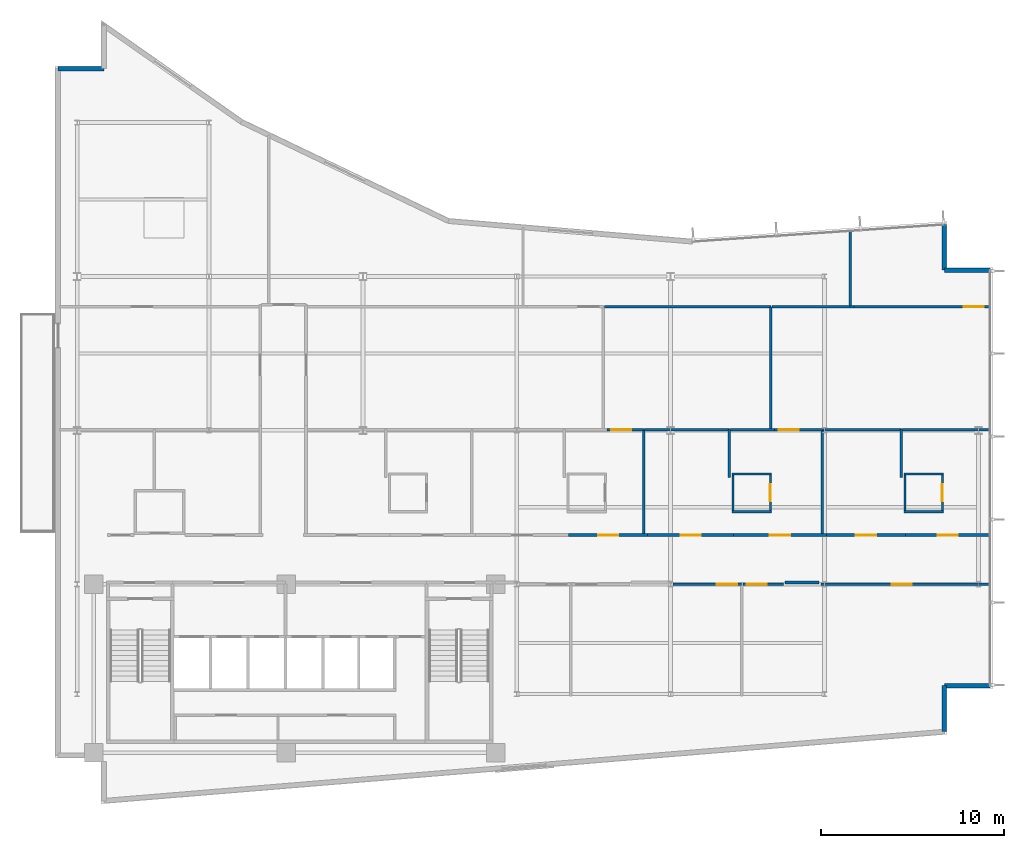
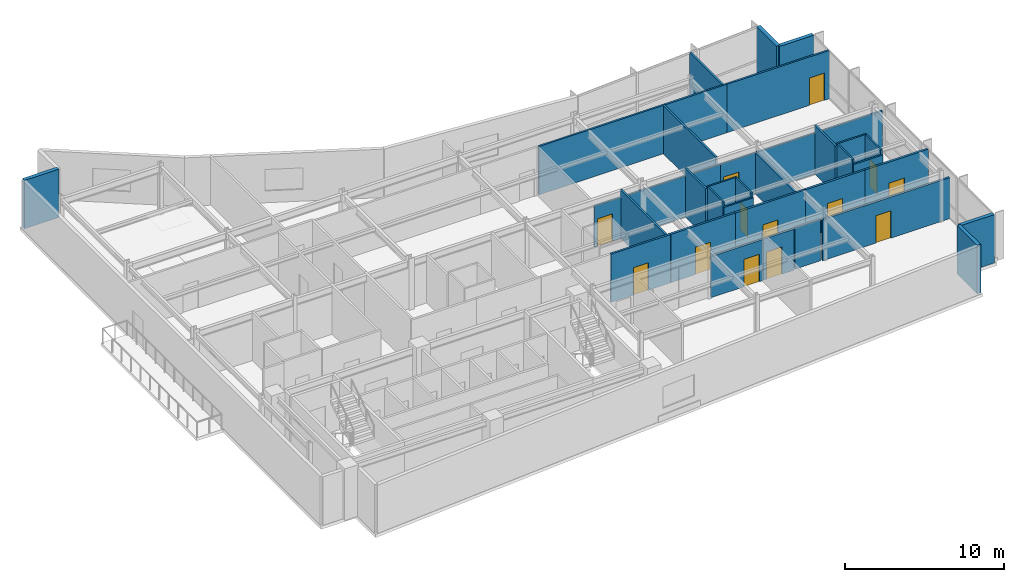
# One storey, part 12 of 16: 37 walls, 13 doors, 13 openings.
"""IFC4 building model written with IfcOpenShell, lengths in metres."""

from ifc_helpers import new_model, si_unit, direction, frame, frame_2d, origin, place, context, subcontext, project, spatial, rectangle, extrude, material, layer, layer_set, type_object, element, fill, save


model = new_model("IFC4")

# Units and contexts
model_context = context("Model", 3, precision=1e-05, world=origin(), true_north=direction((0.0, 1.0)))
body_context = subcontext(model_context, "Body", "Model", "MODEL_VIEW")
ifc_project = project(units=[si_unit("LENGTHUNIT", "METRE"), si_unit("AREAUNIT", "SQUARE_METRE"), si_unit("VOLUMEUNIT", "CUBIC_METRE"), si_unit("PLANEANGLEUNIT", "RADIAN"), si_unit("MASSUNIT", "GRAM", prefix="KILO")], contexts=[model_context])

# Site, building, storey
site_placement = place(None, origin())
site = spatial("IfcSite", under=ifc_project, at=site_placement, CompositionType="ELEMENT")
building_placement = place(site_placement, origin())
building = spatial("IfcBuilding", under=site, at=building_placement, Name="Varnakote Quay Hospital", CompositionType="ELEMENT")
storey_placement = place(building_placement, frame((0.0, 0.0, 188.14990234375)))
storey = spatial("IfcBuildingStorey", under=building, at=storey_placement, Name="L46", CompositionType="ELEMENT", Elevation=188.14990234375)

# Walls
ifc_material_1 = material(Name="Fire-rated acoustic gypsum stud wall", Category="gypsum")
ifc_layer_1 = layer(ifc_material_1, 0.159912109375)
ifc_layer_set_1 = layer_set([ifc_layer_1], Name="Fire-rated acoustic gypsum stud wall")
wall_type_1 = type_object("IfcWallType", Name="WL-COMP-160", PredefinedType="PARTITIONING", material=ifc_layer_set_1)
wall_1_placement = place(storey_placement, frame((39.83935546875, 12.080078125, 0.0), z_axis=(0.0, 0.0, 1.0), x_axis=(1.0, 0.0, 0.0)))
element("IfcWall", 1, at=wall_1_placement, inside=storey, type_object=wall_type_1, Name="L46 Corridor South Gap Wall", PredefinedType="PARTITIONING", context=body_context, shape_type="SweptSolid", body=[
    extrude(rectangle(XDim=1.871337890625, YDim=0.159912109375, at=frame_2d((0.935546875, 0.0))), origin(), (0.0, 0.0, 1.0), 3.152099609375),
])
ifc_material_2 = material(Name="Moisture-resistant bathroom partition", Category="gypsum")
ifc_layer_2 = layer(ifc_material_2, 0.114990234375)
ifc_layer_set_2 = layer_set([ifc_layer_2], Name="Moisture-resistant bathroom partition")
wall_type_2 = type_object("IfcWallType", Name="WL-ENS-115", PredefinedType="PARTITIONING", material=ifc_layer_set_2)
wall_2_placement = place(storey_placement, frame((36.955078125, 15.952392578125, 0.0), z_axis=(0.0, 0.0, 1.0), x_axis=(1.0, 0.0, 0.0)))
element("IfcWall", 2, at=wall_2_placement, inside=storey, type_object=wall_type_2, Name="L46 Inpatient En-Suite Bathroom 03 S Wall", PredefinedType="PARTITIONING", context=body_context, shape_type="SweptSolid", body=[
    extrude(rectangle(XDim=2.14990234375, YDim=0.114990234375, at=frame_2d((1.074951171875, 0.0))), origin(), (0.0, 0.0, 1.0), 3.378173828125),
])
wall_3_placement = place(storey_placement, frame((36.955078125, 18.017578125, 0.0), z_axis=(0.0, 0.0, 1.0), x_axis=(1.0, 0.0, 0.0)))
element("IfcWall", 3, at=wall_3_placement, inside=storey, type_object=wall_type_2, Name="L46 Inpatient En-Suite Bathroom 03 N Wall", PredefinedType="PARTITIONING", context=body_context, shape_type="SweptSolid", body=[
    extrude(rectangle(XDim=2.14990234375, YDim=0.114990234375, at=frame_2d((1.074951171875, 0.0))), origin(), (0.0, 0.0, 1.0), 3.710205078125),
])
wall_4_placement = place(storey_placement, frame((37.012451171875, 16.010009765625, 0.0), z_axis=(0.0, 0.0, 1.0), x_axis=(0.0, 1.0, 0.0)))
element("IfcWall", 4, at=wall_4_placement, inside=storey, type_object=wall_type_2, Name="L46 Inpatient En-Suite Bathroom 03 W Wall", PredefinedType="PARTITIONING", context=body_context, shape_type="SweptSolid", body=[
    extrude(rectangle(XDim=1.949951171875, YDim=0.114990234375, at=frame_2d((0.97509765625, 0.0))), origin(), (0.0, 0.0, 1.0), 3.710205078125),
])

# Wall, opening, door
wall_5_placement = place(storey_placement, frame((39.047607421875, 16.010009765625, 0.0), z_axis=(0.0, 0.0, 1.0), x_axis=(0.0, 1.0, 0.0)))
wall_5 = element("IfcWall", 5, at=wall_5_placement, inside=storey, type_object=wall_type_2, Name="L46 Inpatient En-Suite Bathroom 03 E Wall", PredefinedType="PARTITIONING", context=body_context, shape_type="SweptSolid", body=[
    extrude(rectangle(XDim=1.949951171875, YDim=0.114990234375, at=frame_2d((0.97509765625, 0.0))), origin(), (0.0, 0.0, 1.0), 3.710205078125),
])
opening_1_placement = place(wall_5_placement, frame((0.514892578125, 0.0, 0.0)))
opening_1 = element("IfcOpeningElement", 6, at=opening_1_placement, cuts=wall_5, Name="Opening D-L46-ENS03", PredefinedType="OPENING", context=body_context, shape_type="SweptSolid", body=[
    extrude(rectangle(XDim=0.919921875, YDim=2.10009765625, at=frame_2d((0.4599609375, 1.050048828125))), frame((0.0, 0.0673828125, 0.0), z_axis=(0.0, -1.0, 0.0), x_axis=(1.0, 0.0, 0.0)), (0.0, 0.0, 1.0), 0.135009765625),
])
ifc_material_3 = material(Name="Moisture-sealed en-suite bathroom door")
door_type_1 = type_object("IfcDoorType", Name="DR-ENS-920x2100", OperationType="NOTDEFINED", PredefinedType="DOOR", material=ifc_material_3)
door_1_placement = place(opening_1_placement, origin())
door_1 = element("IfcDoor", 7, at=door_1_placement, inside=storey, type_object=door_type_1, Name="L46 Inpatient En-Suite Bathroom 03 Door", OperationType="SINGLE_SWING_LEFT", OverallHeight=2.10009765625, OverallWidth=0.919921875, PredefinedType="DOOR", context=body_context, shape_type="SweptSolid", body=[
    extrude(rectangle(XDim=0.919921875, YDim=2.10009765625, at=frame_2d((0.4599609375, 1.050048828125))), frame((0.0, 0.02490234375, 0.0), z_axis=(0.0, -1.0, 0.0), x_axis=(1.0, 0.0, 0.0)), (0.0, 0.0, 1.0), 0.050048828125),
])
fill(opening_1, door_1)

# Walls
wall_6_placement = place(storey_placement, frame((46.344970703125, 15.952392578125, 0.0), z_axis=(0.0, 0.0, 1.0), x_axis=(1.0, 0.0, 0.0)))
element("IfcWall", 8, at=wall_6_placement, inside=storey, type_object=wall_type_2, Name="L46 Inpatient En-Suite Bathroom 04 S Wall", PredefinedType="PARTITIONING", context=body_context, shape_type="SweptSolid", body=[
    extrude(rectangle(XDim=2.150146484375, YDim=0.114990234375, at=frame_2d((1.0751953125, 0.0))), origin(), (0.0, 0.0, 1.0), 3.378173828125),
])
wall_7_placement = place(storey_placement, frame((46.344970703125, 18.017578125, 0.0), z_axis=(0.0, 0.0, 1.0), x_axis=(1.0, 0.0, 0.0)))
element("IfcWall", 9, at=wall_7_placement, inside=storey, type_object=wall_type_2, Name="L46 Inpatient En-Suite Bathroom 04 N Wall", PredefinedType="PARTITIONING", context=body_context, shape_type="SweptSolid", body=[
    extrude(rectangle(XDim=2.150146484375, YDim=0.114990234375, at=frame_2d((1.0751953125, 0.0))), origin(), (0.0, 0.0, 1.0), 3.710205078125),
])
wall_8_placement = place(storey_placement, frame((46.402587890625, 16.010009765625, 0.0), z_axis=(0.0, 0.0, 1.0), x_axis=(0.0, 1.0, 0.0)))
element("IfcWall", 10, at=wall_8_placement, inside=storey, type_object=wall_type_2, Name="L46 Inpatient En-Suite Bathroom 04 W Wall", PredefinedType="PARTITIONING", context=body_context, shape_type="SweptSolid", body=[
    extrude(rectangle(XDim=1.949951171875, YDim=0.114990234375, at=frame_2d((0.97509765625, 0.0))), origin(), (0.0, 0.0, 1.0), 3.710205078125),
])

# Wall, opening, door
wall_9_placement = place(storey_placement, frame((48.4375, 16.010009765625, 0.0), z_axis=(0.0, 0.0, 1.0), x_axis=(0.0, 1.0, 0.0)))
wall_9 = element("IfcWall", 11, at=wall_9_placement, inside=storey, type_object=wall_type_2, Name="L46 Inpatient En-Suite Bathroom 04 E Wall", PredefinedType="PARTITIONING", context=body_context, shape_type="SweptSolid", body=[
    extrude(rectangle(XDim=1.949951171875, YDim=0.114990234375, at=frame_2d((0.97509765625, 0.0))), origin(), (0.0, 0.0, 1.0), 3.710205078125),
])
opening_2_placement = place(wall_9_placement, frame((0.514892578125, 0.0, 0.0)))
opening_2 = element("IfcOpeningElement", 12, at=opening_2_placement, cuts=wall_9, Name="Opening D-L46-ENS04", PredefinedType="OPENING", context=body_context, shape_type="SweptSolid", body=[
    extrude(rectangle(XDim=0.919921875, YDim=2.10009765625, at=frame_2d((0.4599609375, 1.050048828125))), frame((0.0, 0.0673828125, 0.0), z_axis=(0.0, -1.0, 0.0), x_axis=(1.0, 0.0, 0.0)), (0.0, 0.0, 1.0), 0.135009765625),
])
door_2_placement = place(opening_2_placement, origin())
door_2 = element("IfcDoor", 13, at=door_2_placement, inside=storey, type_object=door_type_1, Name="L46 Inpatient En-Suite Bathroom 04 Door", OperationType="SINGLE_SWING_RIGHT", OverallHeight=2.10009765625, OverallWidth=0.919921875, PredefinedType="DOOR", context=body_context, shape_type="SweptSolid", body=[
    extrude(rectangle(XDim=0.919921875, YDim=2.10009765625, at=frame_2d((0.4599609375, 1.050048828125))), frame((0.0, 0.02490234375, 0.0), z_axis=(0.0, -1.0, 0.0), x_axis=(1.0, 0.0, 0.0)), (0.0, 0.0, 1.0), 0.050048828125),
])
fill(opening_2, door_2)

# Walls
ifc_material_4 = material(Name="Precast concrete N50 (f'c 50 MPa)", Category="concrete")
ifc_layer_3 = layer(ifc_material_4, 0.260009765625)
ifc_layer_set_3 = layer_set([ifc_layer_3], Name="Precast concrete N50 (f'c 50 MPa)")
wall_type_3 = type_object("IfcWallType", Name="WL-EXT-BRICK-260", PredefinedType="STANDARD", material=ifc_layer_set_3)
wall_10_placement = place(storey_placement, frame((48.5400390625, 3.947509765625, 0.0), z_axis=(0.0, 0.0, 1.0), x_axis=(0.0, 1.0, 0.0)))
element("IfcWall", 14, at=wall_10_placement, inside=storey, type_object=wall_type_3, Name="L46 Brick-Faced Precast Exterior Wall", PredefinedType="STANDARD", context=body_context, shape_type="SweptSolid", body=[
    extrude(rectangle(XDim=2.512451171875, YDim=0.260009765625, at=frame_2d((1.25634765625, 0.0))), origin(), (0.0, 0.0, 1.0), 3.710205078125),
])
for number, where, z_axis, x_axis, name in (
    (15, (48.5400390625, 6.4599609375, 0.0), (0.0, 0.0, 1.0), (1.0, 0.0, 0.0), "L46 Brick-Faced Precast Exterior Wall"),
    (16, (51.0400390625, 29.139892578125, 0.0), (0.0, 0.0, 1.0), (-1.0, 0.0, 0.0), "L46 Brick-Faced Precast Exterior Wall"),
):
    element("IfcWall", number, at=place(storey_placement, frame(where, z_axis=z_axis, x_axis=x_axis)), inside=storey, type_object=wall_type_3, Name=name, PredefinedType="STANDARD", context=body_context, shape_type="SweptSolid", body=[
        extrude(rectangle(XDim=2.5, YDim=0.260009765625, at=frame_2d((1.25, 0.0))), origin(), (0.0, 0.0, 1.0), 3.710205078125),
    ])
wall_11_placement = place(storey_placement, frame((48.5400390625, 29.139892578125, 0.0), z_axis=(0.0, 0.0, 1.0), x_axis=(0.0, 1.0, 0.0)))
element("IfcWall", 17, at=wall_11_placement, inside=storey, type_object=wall_type_3, Name="L46 Brick-Faced Precast Exterior Wall", PredefinedType="STANDARD", context=body_context, shape_type="SweptSolid", body=[
    extrude(rectangle(XDim=2.489013671875, YDim=0.260009765625, at=frame_2d((1.24462890625, 0.0))), origin(), (0.0, 0.0, 1.0), 3.710205078125),
])
wall_12_placement = place(storey_placement, frame((2.659912109375, 40.139892578125, 0.0), z_axis=(0.0, 0.0, 1.0), x_axis=(-1.0, 0.0, 0.0)))
element("IfcWall", 18, at=wall_12_placement, inside=storey, type_object=wall_type_3, Name="L46 Brick-Faced Precast Exterior Wall", PredefinedType="STANDARD", context=body_context, shape_type="SweptSolid", body=[
    extrude(rectangle(XDim=2.5, YDim=0.260009765625, at=frame_2d((1.25, 0.0))), origin(), (0.0, 0.0, 1.0), 3.710205078125),
])
ifc_material_5 = material(Name="Smoke-proof clinical partition", Category="gypsum")
ifc_layer_4 = layer(ifc_material_5, 0.135009765625)
ifc_layer_set_4 = layer_set([ifc_layer_4], Name="Smoke-proof clinical partition")
wall_type_4 = type_object("IfcWallType", Name="WL-SMOKE-135", PredefinedType="PARTITIONING", material=ifc_layer_set_4)
wall_13_placement = place(storey_placement, frame((32.1201171875, 14.760009765625, 0.0), z_axis=(0.0, 0.0, 1.0), x_axis=(0.0, 1.0, 0.0)))
element("IfcWall", 19, at=wall_13_placement, inside=storey, type_object=wall_type_4, Name="L46 Clinical Interior Partition", PredefinedType="PARTITIONING", context=body_context, shape_type="SweptSolid", body=[
    extrude(rectangle(XDim=5.679931640625, YDim=0.135009765625, at=frame_2d((2.83984375, 0.0))), origin(), (0.0, 0.0, 1.0), 3.710205078125),
])

# Wall, opening, door
wall_14_placement = place(storey_placement, frame((32.1201171875, 20.43994140625, 0.0), z_axis=(0.0, 0.0, 1.0), x_axis=(-1.0, 0.0, 0.0)))
wall_14 = element("IfcWall", 20, at=wall_14_placement, inside=storey, type_object=wall_type_4, Name="L46 Clinical Interior Partition", PredefinedType="PARTITIONING", context=body_context, shape_type="SweptSolid", body=[
    extrude(rectangle(XDim=1.980712890625, YDim=0.135009765625, at=frame_2d((0.990234375, 0.0))), origin(), (0.0, 0.0, 1.0), 3.152099609375),
])
opening_3_placement = place(wall_14_placement, frame((0.66845703125, 0.0, 0.0)))
opening_3 = element("IfcOpeningElement", 21, at=opening_3_placement, cuts=wall_14, Name="Opening D-L46-MD08", PredefinedType="OPENING", context=body_context, shape_type="SweptSolid", body=[
    extrude(rectangle(XDim=1.10009765625, YDim=2.10009765625, at=frame_2d((0.550048828125, 1.050048828125))), frame((0.0, 0.077392578125, 0.0), z_axis=(0.0, -1.0, 0.0), x_axis=(1.0, 0.0, 0.0)), (0.0, 0.0, 1.0), 0.155029296875),
])
ifc_material_6 = material(Name="Acoustic timber clinical consult door", Category="wood")
door_type_2 = type_object("IfcDoorType", Name="DR-CLIN-FD30S-1100x2100", OperationType="NOTDEFINED", PredefinedType="DOOR", material=ifc_material_6)
door_3_placement = place(opening_3_placement, origin())
door_3 = element("IfcDoor", 22, at=door_3_placement, inside=storey, type_object=door_type_2, Name="L46 Neuro-Rehab Clinical Consultation Suite Door", OperationType="SINGLE_SWING_LEFT", OverallHeight=2.10009765625, OverallWidth=1.10009765625, PredefinedType="DOOR", context=body_context, shape_type="SweptSolid", body=[
    extrude(rectangle(XDim=1.10009765625, YDim=2.10009765625, at=frame_2d((0.550048828125, 1.050048828125))), frame((0.0, 0.02490234375, 0.0), z_axis=(0.0, -1.0, 0.0), x_axis=(1.0, 0.0, 0.0)), (0.0, 0.0, 1.0), 0.050048828125),
])
fill(opening_3, door_3)

# Walls
wall_15_placement = place(storey_placement, frame((36.81005859375, 17.83251953125, 0.0), z_axis=(0.0, 0.0, 1.0), x_axis=(0.0, 1.0, 0.0)))
element("IfcWall", 23, at=wall_15_placement, inside=storey, type_object=wall_type_4, Name="L46 Clinical Interior Partition", PredefinedType="PARTITIONING", context=body_context, shape_type="SweptSolid", body=[
    extrude(rectangle(XDim=2.607421875, YDim=0.135009765625, at=frame_2d((1.3037109375, 0.0))), origin(), (0.0, 0.0, 1.0), 3.710205078125),
])
wall_16_placement = place(storey_placement, frame((36.81005859375, 20.43994140625, 0.0), z_axis=(0.0, 0.0, 1.0), x_axis=(-1.0, 0.0, 0.0)))
element("IfcWall", 24, at=wall_16_placement, inside=storey, type_object=wall_type_4, Name="L46 Clinical Interior Partition", PredefinedType="PARTITIONING", context=body_context, shape_type="SweptSolid", body=[
    extrude(rectangle(XDim=4.632568359375, YDim=0.135009765625, at=frame_2d((2.31640625, 0.0))), origin(), (0.0, 0.0, 1.0), 3.152099609375),
])
wall_17_placement = place(storey_placement, frame((41.8798828125, 14.760009765625, 0.0), z_axis=(0.0, 0.0, 1.0), x_axis=(0.0, 1.0, 0.0)))
element("IfcWall", 25, at=wall_17_placement, inside=storey, type_object=wall_type_4, Name="L46 Clinical Interior Partition", PredefinedType="PARTITIONING", context=body_context, shape_type="SweptSolid", body=[
    extrude(rectangle(XDim=5.679931640625, YDim=0.135009765625, at=frame_2d((2.83984375, 0.0))), origin(), (0.0, 0.0, 1.0), 3.152099609375),
])
wall_18_placement = place(storey_placement, frame((39.277587890625, 20.43994140625, 0.0), z_axis=(0.0, 0.0, 1.0), x_axis=(-1.0, 0.0, 0.0)))
element("IfcWall", 26, at=wall_18_placement, inside=storey, type_object=wall_type_4, Name="L46 Clinical Interior Partition", PredefinedType="PARTITIONING", context=body_context, shape_type="SweptSolid", body=[
    extrude(rectangle(XDim=2.41015625, YDim=0.135009765625, at=frame_2d((1.205078125, 0.0))), origin(), (0.0, 0.0, 1.0), 3.152099609375),
])

# Wall, opening, door
wall_19_placement = place(storey_placement, frame((41.8798828125, 20.43994140625, 0.0), z_axis=(0.0, 0.0, 1.0), x_axis=(-1.0, 0.0, 0.0)))
wall_19 = element("IfcWall", 27, at=wall_19_placement, inside=storey, type_object=wall_type_4, Name="L46 Clinical Interior Partition", PredefinedType="PARTITIONING", context=body_context, shape_type="SweptSolid", body=[
    extrude(rectangle(XDim=2.600341796875, YDim=0.135009765625, at=frame_2d((1.30029296875, 0.0))), origin(), (0.0, 0.0, 1.0), 3.152099609375),
])
opening_4_placement = place(wall_19_placement, frame((1.27294921875, 0.0, 0.0)))
opening_4 = element("IfcOpeningElement", 28, at=opening_4_placement, cuts=wall_19, Name="Opening D-L46-MD09", PredefinedType="OPENING", context=body_context, shape_type="SweptSolid", body=[
    extrude(rectangle(XDim=1.10009765625, YDim=2.10009765625, at=frame_2d((0.550048828125, 1.050048828125))), frame((0.0, 0.077392578125, 0.0), z_axis=(0.0, -1.0, 0.0), x_axis=(1.0, 0.0, 0.0)), (0.0, 0.0, 1.0), 0.155029296875),
])
door_4_placement = place(opening_4_placement, origin())
door_4 = element("IfcDoor", 29, at=door_4_placement, inside=storey, type_object=door_type_2, Name="L46 Neurology Clinical Teaching Room Door", OperationType="SINGLE_SWING_RIGHT", OverallHeight=2.10009765625, OverallWidth=1.10009765625, PredefinedType="DOOR", context=body_context, shape_type="SweptSolid", body=[
    extrude(rectangle(XDim=1.10009765625, YDim=2.10009765625, at=frame_2d((0.550048828125, 1.050048828125))), frame((0.0, 0.02490234375, 0.0), z_axis=(0.0, -1.0, 0.0), x_axis=(1.0, 0.0, 0.0)), (0.0, 0.0, 1.0), 0.050048828125),
])
fill(opening_4, door_4)

# Walls
wall_20_placement = place(storey_placement, frame((46.199951171875, 17.83251953125, 0.0), z_axis=(0.0, 0.0, 1.0), x_axis=(0.0, 1.0, 0.0)))
element("IfcWall", 30, at=wall_20_placement, inside=storey, type_object=wall_type_4, Name="L46 Clinical Interior Partition", PredefinedType="PARTITIONING", context=body_context, shape_type="SweptSolid", body=[
    extrude(rectangle(XDim=2.607421875, YDim=0.135009765625, at=frame_2d((1.3037109375, 0.0))), origin(), (0.0, 0.0, 1.0), 3.710205078125),
])
wall_21_placement = place(storey_placement, frame((46.199951171875, 20.43994140625, 0.0), z_axis=(0.0, 0.0, 1.0), x_axis=(-1.0, 0.0, 0.0)))
element("IfcWall", 31, at=wall_21_placement, inside=storey, type_object=wall_type_4, Name="L46 Clinical Interior Partition", PredefinedType="PARTITIONING", context=body_context, shape_type="SweptSolid", body=[
    extrude(rectangle(XDim=4.262451171875, YDim=0.135009765625, at=frame_2d((2.13134765625, 0.0))), origin(), (0.0, 0.0, 1.0), 3.152099609375),
])
wall_22_placement = place(storey_placement, frame((51.0400390625, 20.43994140625, 0.0), z_axis=(0.0, 0.0, 1.0), x_axis=(-1.0, 0.0, 0.0)))
element("IfcWall", 32, at=wall_22_placement, inside=storey, type_object=wall_type_4, Name="L46 Clinical Interior Partition", PredefinedType="PARTITIONING", context=body_context, shape_type="SweptSolid", body=[
    extrude(rectangle(XDim=4.782470703125, YDim=0.135009765625, at=frame_2d((2.39111328125, 0.0))), origin(), (0.0, 0.0, 1.0), 3.152099609375),
])
wall_23_placement = place(storey_placement, frame((39.070068359375, 20.49755859375, 0.0), z_axis=(0.0, 0.0, 1.0), x_axis=(0.0, 1.0, 0.0)))
element("IfcWall", 33, at=wall_23_placement, inside=storey, type_object=wall_type_4, Name="L46 Clinical Interior Partition", PredefinedType="PARTITIONING", context=body_context, shape_type="SweptSolid", body=[
    extrude(rectangle(XDim=6.642333984375, YDim=0.135009765625, at=frame_2d((3.3212890625, 0.0))), origin(), (0.0, 0.0, 1.0), 3.710205078125),
])
wall_24_placement = place(storey_placement, frame((39.070068359375, 27.139892578125, 0.0), z_axis=(0.0, 0.0, 1.0), x_axis=(-1.0, 0.0, 0.0)))
element("IfcWall", 34, at=wall_24_placement, inside=storey, type_object=wall_type_4, Name="L46 Clinical Interior Partition", PredefinedType="PARTITIONING", context=body_context, shape_type="SweptSolid", body=[
    extrude(rectangle(XDim=9.08251953125, YDim=0.135009765625, at=frame_2d((4.541259765625, 0.0))), origin(), (0.0, 0.0, 1.0), 3.710205078125),
])
wall_25_placement = place(storey_placement, frame((43.607421875, 27.139892578125, 0.0), z_axis=(0.0, 0.0, 1.0), x_axis=(-1.0, 0.0, 0.0)))
element("IfcWall", 35, at=wall_25_placement, inside=storey, type_object=wall_type_4, Name="L46 Clinical Interior Partition", PredefinedType="PARTITIONING", context=body_context, shape_type="SweptSolid", body=[
    extrude(rectangle(XDim=4.47998046875, YDim=0.135009765625, at=frame_2d((2.239990234375, 0.0))), origin(), (0.0, 0.0, 1.0), 3.710205078125),
])

# Wall, opening, door
wall_26_placement = place(storey_placement, frame((51.0400390625, 27.139892578125, 0.0), z_axis=(0.0, 0.0, 1.0), x_axis=(-1.0, 0.0, 0.0)))
wall_26 = element("IfcWall", 36, at=wall_26_placement, inside=storey, type_object=wall_type_4, Name="L46 Clinical Interior Partition", PredefinedType="PARTITIONING", context=body_context, shape_type="SweptSolid", body=[
    extrude(rectangle(XDim=7.430419921875, YDim=0.135009765625, at=frame_2d((3.71533203125, 0.0))), origin(), (0.0, 0.0, 1.0), 3.710205078125),
])
opening_5_placement = place(wall_26_placement, frame((0.348388671875, 0.0, 0.0)))
opening_5 = element("IfcOpeningElement", 37, at=opening_5_placement, cuts=wall_26, Name="Opening D-L46-MD13", PredefinedType="OPENING", context=body_context, shape_type="SweptSolid", body=[
    extrude(rectangle(XDim=1.10009765625, YDim=2.10009765625, at=frame_2d((0.550048828125, 1.050048828125))), frame((0.0, 0.077392578125, 0.0), z_axis=(0.0, -1.0, 0.0), x_axis=(1.0, 0.0, 0.0)), (0.0, 0.0, 1.0), 0.155029296875),
])
door_5_placement = place(opening_5_placement, origin())
door_5 = element("IfcDoor", 38, at=door_5_placement, inside=storey, type_object=door_type_2, Name="L46 Neurology Clinical Teaching Room Door", OperationType="SINGLE_SWING_LEFT", OverallHeight=2.10009765625, OverallWidth=1.10009765625, PredefinedType="DOOR", context=body_context, shape_type="SweptSolid", body=[
    extrude(rectangle(XDim=1.10009765625, YDim=2.10009765625, at=frame_2d((0.550048828125, 1.050048828125))), frame((0.0, 0.02490234375, 0.0), z_axis=(0.0, -1.0, 0.0), x_axis=(1.0, 0.0, 0.0)), (0.0, 0.0, 1.0), 0.050048828125),
])
fill(opening_5, door_5)

# Wall
wall_27_placement = place(storey_placement, frame((43.39990234375, 27.197509765625, 0.0), z_axis=(0.0, 0.0, 1.0), x_axis=(0.0, 1.0, 0.0)))
element("IfcWall", 39, at=wall_27_placement, inside=storey, type_object=wall_type_4, Name="L46 Clinical Interior Partition", PredefinedType="PARTITIONING", context=body_context, shape_type="SweptSolid", body=[
    extrude(rectangle(XDim=4.081787109375, YDim=0.135009765625, at=frame_2d((2.041015625, 0.0))), origin(), (0.0, 0.0, 1.0), 3.710205078125),
])

# Wall, opening, door
ifc_material_7 = material(Name="Fire-rated clinical gypsum partition", Category="gypsum")
ifc_layer_5 = layer(ifc_material_7, 0.14990234375)
ifc_layer_set_5 = layer_set([ifc_layer_5], Name="Fire-rated clinical gypsum partition")
wall_type_5 = type_object("IfcWallType", Name="WL-WARD-150", PredefinedType="PARTITIONING", material=ifc_layer_set_5)
wall_28_placement = place(storey_placement, frame((37.47998046875, 12.0, 0.0), z_axis=(0.0, 0.0, 1.0), x_axis=(-1.0, 0.0, 0.0)))
wall_28 = element("IfcWall", 40, at=wall_28_placement, inside=storey, type_object=wall_type_5, Name="L46 Clinical Interior Partition", PredefinedType="PARTITIONING", context=body_context, shape_type="SweptSolid", body=[
    extrude(rectangle(XDim=3.751953125, YDim=0.14990234375, at=frame_2d((1.8759765625, 0.0))), origin(), (0.0, 0.0, 1.0), 3.152099609375),
])
opening_6_placement = place(wall_28_placement, frame((0.25634765625, 0.0, 0.0)))
opening_6 = element("IfcOpeningElement", 41, at=opening_6_placement, cuts=wall_28, Name="Opening D-L46-RM1", PredefinedType="OPENING", context=body_context, shape_type="SweptSolid", body=[
    extrude(rectangle(XDim=1.10009765625, YDim=2.10009765625, at=frame_2d((0.550048828125, 1.050048828125))), frame((0.0, 0.0849609375, 0.0), z_axis=(0.0, -1.0, 0.0), x_axis=(1.0, 0.0, 0.0)), (0.0, 0.0, 1.0), 0.169921875),
])
door_6_placement = place(opening_6_placement, origin())
door_6 = element("IfcDoor", 42, at=door_6_placement, inside=storey, type_object=door_type_2, Name="L46 Cardiac Telemetry Treatment Suite Door", OperationType="SINGLE_SWING_LEFT", OverallHeight=2.10009765625, OverallWidth=1.10009765625, PredefinedType="DOOR", context=body_context, shape_type="SweptSolid", body=[
    extrude(rectangle(XDim=1.10009765625, YDim=2.10009765625, at=frame_2d((0.550048828125, 1.050048828125))), frame((0.0, 0.02490234375, 0.0), z_axis=(0.0, -1.0, 0.0), x_axis=(1.0, 0.0, 0.0)), (0.0, 0.0, 1.0), 0.050048828125),
])
fill(opening_6, door_6)

wall_29_placement = place(storey_placement, frame((39.75, 12.0, 0.0), z_axis=(0.0, 0.0, 1.0), x_axis=(-1.0, 0.0, 0.0)))
wall_29 = element("IfcWall", 43, at=wall_29_placement, inside=storey, type_object=wall_type_5, Name="L46 Clinical Interior Partition", PredefinedType="PARTITIONING", context=body_context, shape_type="SweptSolid", body=[
    extrude(rectangle(XDim=2.21240234375, YDim=0.14990234375, at=frame_2d((1.106201171875, 0.0))), origin(), (0.0, 0.0, 1.0), 3.152099609375),
])
opening_7_placement = place(wall_29_placement, frame((0.894775390625, 0.0, 0.0)))
opening_7 = element("IfcOpeningElement", 44, at=opening_7_placement, cuts=wall_29, Name="Opening D-L46-RM2", PredefinedType="OPENING", context=body_context, shape_type="SweptSolid", body=[
    extrude(rectangle(XDim=1.10009765625, YDim=2.10009765625, at=frame_2d((0.550048828125, 1.050048828125))), frame((0.0, 0.0849609375, 0.0), z_axis=(0.0, -1.0, 0.0), x_axis=(1.0, 0.0, 0.0)), (0.0, 0.0, 1.0), 0.169921875),
])
door_7_placement = place(opening_7_placement, origin())
door_7 = element("IfcDoor", 45, at=door_7_placement, inside=storey, type_object=door_type_2, Name="L46 Vascular Diagnostics Office Door", OperationType="SINGLE_SWING_RIGHT", OverallHeight=2.10009765625, OverallWidth=1.10009765625, PredefinedType="DOOR", context=body_context, shape_type="SweptSolid", body=[
    extrude(rectangle(XDim=1.10009765625, YDim=2.10009765625, at=frame_2d((0.550048828125, 1.050048828125))), frame((0.0, 0.02490234375, 0.0), z_axis=(0.0, -1.0, 0.0), x_axis=(1.0, 0.0, 0.0)), (0.0, 0.0, 1.0), 0.050048828125),
])
fill(opening_7, door_7)

wall_30_placement = place(storey_placement, frame((51.0400390625, 12.0, 0.0), z_axis=(0.0, 0.0, 1.0), x_axis=(-1.0, 0.0, 0.0)))
wall_30 = element("IfcWall", 46, at=wall_30_placement, inside=storey, type_object=wall_type_5, Name="L46 Clinical Interior Partition", PredefinedType="PARTITIONING", context=body_context, shape_type="SweptSolid", body=[
    extrude(rectangle(XDim=9.239990234375, YDim=0.14990234375, at=frame_2d((4.6201171875, 0.0))), origin(), (0.0, 0.0, 1.0), 3.152099609375),
])
opening_8_placement = place(wall_30_placement, frame((4.263427734375, 0.0, 0.0)))
opening_8 = element("IfcOpeningElement", 47, at=opening_8_placement, cuts=wall_30, Name="Opening D-L46-SE1", PredefinedType="OPENING", context=body_context, shape_type="SweptSolid", body=[
    extrude(rectangle(XDim=1.10009765625, YDim=2.10009765625, at=frame_2d((0.550048828125, 1.050048828125))), frame((0.0, 0.0849609375, 0.0), z_axis=(0.0, -1.0, 0.0), x_axis=(1.0, 0.0, 0.0)), (0.0, 0.0, 1.0), 0.169921875),
])
door_8_placement = place(opening_8_placement, origin())
door_8 = element("IfcDoor", 48, at=door_8_placement, inside=storey, type_object=door_type_2, Name="L46 Clinical Biomedical Engineering Office Door", OperationType="SINGLE_SWING_LEFT", OverallHeight=2.10009765625, OverallWidth=1.10009765625, PredefinedType="DOOR", context=body_context, shape_type="SweptSolid", body=[
    extrude(rectangle(XDim=1.10009765625, YDim=2.10009765625, at=frame_2d((0.550048828125, 1.050048828125))), frame((0.0, 0.02490234375, 0.0), z_axis=(0.0, -1.0, 0.0), x_axis=(1.0, 0.0, 0.0)), (0.0, 0.0, 1.0), 0.050048828125),
])
fill(opening_8, door_8)

wall_31_placement = place(storey_placement, frame((32.345947265625, 14.679931640625, 0.0), z_axis=(0.0, 0.0, 1.0), x_axis=(-1.0, 0.0, 0.0)))
wall_31 = element("IfcWall", 49, at=wall_31_placement, inside=storey, type_object=wall_type_5, Name="L46 Clinical Interior Partition", PredefinedType="PARTITIONING", context=body_context, shape_type="SweptSolid", body=[
    extrude(rectangle(XDim=4.31787109375, YDim=0.14990234375, at=frame_2d((2.158935546875, 0.0))), origin(), (0.0, 0.0, 1.0), 3.710205078125),
])
opening_9_placement = place(wall_31_placement, frame((1.60888671875, 0.0, 0.0)))
opening_9 = element("IfcOpeningElement", 50, at=opening_9_placement, cuts=wall_31, Name="Opening D-L46-BR02", PredefinedType="OPENING", context=body_context, shape_type="SweptSolid", body=[
    extrude(rectangle(XDim=1.10009765625, YDim=2.10009765625, at=frame_2d((0.550048828125, 1.050048828125))), frame((0.0, 0.0849609375, 0.0), z_axis=(0.0, -1.0, 0.0), x_axis=(1.0, 0.0, 0.0)), (0.0, 0.0, 1.0), 0.169921875),
])
door_9_placement = place(opening_9_placement, origin())
door_9 = element("IfcDoor", 51, at=door_9_placement, inside=storey, type_object=door_type_2, Name="L46 Inpatient Clinical Treatment Room 02 Door", OperationType="SINGLE_SWING_LEFT", OverallHeight=2.10009765625, OverallWidth=1.10009765625, PredefinedType="DOOR", context=body_context, shape_type="SweptSolid", body=[
    extrude(rectangle(XDim=1.10009765625, YDim=2.10009765625, at=frame_2d((0.550048828125, 1.050048828125))), frame((0.0, 0.02490234375, 0.0), z_axis=(0.0, -1.0, 0.0), x_axis=(1.0, 0.0, 0.0)), (0.0, 0.0, 1.0), 0.050048828125),
])
fill(opening_9, door_9)

wall_32_placement = place(storey_placement, frame((37.035888671875, 14.679931640625, 0.0), z_axis=(0.0, 0.0, 1.0), x_axis=(-1.0, 0.0, 0.0)))
wall_32 = element("IfcWall", 52, at=wall_32_placement, inside=storey, type_object=wall_type_5, Name="L46 Clinical Interior Partition", PredefinedType="PARTITIONING", context=body_context, shape_type="SweptSolid", body=[
    extrude(rectangle(XDim=4.68798828125, YDim=0.14990234375, at=frame_2d((2.343994140625, 0.0))), origin(), (0.0, 0.0, 1.0), 3.710205078125),
])
opening_10_placement = place(wall_32_placement, frame((1.7939453125, 0.0, 0.0)))
opening_10 = element("IfcOpeningElement", 53, at=opening_10_placement, cuts=wall_32, Name="Opening D-L46-MD05", PredefinedType="OPENING", context=body_context, shape_type="SweptSolid", body=[
    extrude(rectangle(XDim=1.10009765625, YDim=2.10009765625, at=frame_2d((0.550048828125, 1.050048828125))), frame((0.0, 0.0849609375, 0.0), z_axis=(0.0, -1.0, 0.0), x_axis=(1.0, 0.0, 0.0)), (0.0, 0.0, 1.0), 0.169921875),
])
door_10_placement = place(opening_10_placement, origin())
door_10 = element("IfcDoor", 54, at=door_10_placement, inside=storey, type_object=door_type_2, Name="L46 Neurology Clinical Teaching Room Door", OperationType="SINGLE_SWING_RIGHT", OverallHeight=2.10009765625, OverallWidth=1.10009765625, PredefinedType="DOOR", context=body_context, shape_type="SweptSolid", body=[
    extrude(rectangle(XDim=1.10009765625, YDim=2.10009765625, at=frame_2d((0.550048828125, 1.050048828125))), frame((0.0, 0.02490234375, 0.0), z_axis=(0.0, -1.0, 0.0), x_axis=(1.0, 0.0, 0.0)), (0.0, 0.0, 1.0), 0.050048828125),
])
fill(opening_10, door_10)

wall_33_placement = place(storey_placement, frame((42.10595703125, 14.679931640625, 0.0), z_axis=(0.0, 0.0, 1.0), x_axis=(-1.0, 0.0, 0.0)))
wall_33 = element("IfcWall", 55, at=wall_33_placement, inside=storey, type_object=wall_type_5, Name="L46 Clinical Interior Partition", PredefinedType="PARTITIONING", context=body_context, shape_type="SweptSolid", body=[
    extrude(rectangle(XDim=5.06787109375, YDim=0.14990234375, at=frame_2d((2.533935546875, 0.0))), origin(), (0.0, 0.0, 1.0), 3.710205078125),
])
opening_11_placement = place(wall_33_placement, frame((1.98388671875, 0.0, 0.0)))
opening_11 = element("IfcOpeningElement", 56, at=opening_11_placement, cuts=wall_33, Name="Opening D-L46-BR03", PredefinedType="OPENING", context=body_context, shape_type="SweptSolid", body=[
    extrude(rectangle(XDim=1.10009765625, YDim=2.10009765625, at=frame_2d((0.550048828125, 1.050048828125))), frame((0.0, 0.0849609375, 0.0), z_axis=(0.0, -1.0, 0.0), x_axis=(1.0, 0.0, 0.0)), (0.0, 0.0, 1.0), 0.169921875),
])
door_11_placement = place(opening_11_placement, origin())
door_11 = element("IfcDoor", 57, at=door_11_placement, inside=storey, type_object=door_type_2, Name="L46 Inpatient Clinical Treatment Room 03 Door", OperationType="SINGLE_SWING_LEFT", OverallHeight=2.10009765625, OverallWidth=1.10009765625, PredefinedType="DOOR", context=body_context, shape_type="SweptSolid", body=[
    extrude(rectangle(XDim=1.10009765625, YDim=2.10009765625, at=frame_2d((0.550048828125, 1.050048828125))), frame((0.0, 0.02490234375, 0.0), z_axis=(0.0, -1.0, 0.0), x_axis=(1.0, 0.0, 0.0)), (0.0, 0.0, 1.0), 0.050048828125),
])
fill(opening_11, door_11)

wall_34_placement = place(storey_placement, frame((46.426025390625, 14.679931640625, 0.0), z_axis=(0.0, 0.0, 1.0), x_axis=(-1.0, 0.0, 0.0)))
wall_34 = element("IfcWall", 58, at=wall_34_placement, inside=storey, type_object=wall_type_5, Name="L46 Clinical Interior Partition", PredefinedType="PARTITIONING", context=body_context, shape_type="SweptSolid", body=[
    extrude(rectangle(XDim=4.318115234375, YDim=0.14990234375, at=frame_2d((2.1591796875, 0.0))), origin(), (0.0, 0.0, 1.0), 3.710205078125),
])
opening_12_placement = place(wall_34_placement, frame((1.60888671875, 0.0, 0.0)))
opening_12 = element("IfcOpeningElement", 59, at=opening_12_placement, cuts=wall_34, Name="Opening D-L46-MD06", PredefinedType="OPENING", context=body_context, shape_type="SweptSolid", body=[
    extrude(rectangle(XDim=1.10009765625, YDim=2.10009765625, at=frame_2d((0.550048828125, 1.050048828125))), frame((0.0, 0.0849609375, 0.0), z_axis=(0.0, -1.0, 0.0), x_axis=(1.0, 0.0, 0.0)), (0.0, 0.0, 1.0), 0.169921875),
])
door_12_placement = place(opening_12_placement, origin())
door_12 = element("IfcDoor", 60, at=door_12_placement, inside=storey, type_object=door_type_2, Name="L46 Stroke Rehabilitation Treatment Suite Door", OperationType="SINGLE_SWING_RIGHT", OverallHeight=2.10009765625, OverallWidth=1.10009765625, PredefinedType="DOOR", context=body_context, shape_type="SweptSolid", body=[
    extrude(rectangle(XDim=1.10009765625, YDim=2.10009765625, at=frame_2d((0.550048828125, 1.050048828125))), frame((0.0, 0.02490234375, 0.0), z_axis=(0.0, -1.0, 0.0), x_axis=(1.0, 0.0, 0.0)), (0.0, 0.0, 1.0), 0.050048828125),
])
fill(opening_12, door_12)

wall_35_placement = place(storey_placement, frame((51.0400390625, 14.679931640625, 0.0), z_axis=(0.0, 0.0, 1.0), x_axis=(-1.0, 0.0, 0.0)))
wall_35 = element("IfcWall", 61, at=wall_35_placement, inside=storey, type_object=wall_type_5, Name="L46 Clinical Interior Partition", PredefinedType="PARTITIONING", context=body_context, shape_type="SweptSolid", body=[
    extrude(rectangle(XDim=4.612060546875, YDim=0.14990234375, at=frame_2d((2.30615234375, 0.0))), origin(), (0.0, 0.0, 1.0), 3.710205078125),
])
opening_13_placement = place(wall_35_placement, frame((1.756103515625, 0.0, 0.0)))
opening_13 = element("IfcOpeningElement", 62, at=opening_13_placement, cuts=wall_35, Name="Opening D-L46-BR04", PredefinedType="OPENING", context=body_context, shape_type="SweptSolid", body=[
    extrude(rectangle(XDim=1.10009765625, YDim=2.10009765625, at=frame_2d((0.550048828125, 1.050048828125))), frame((0.0, 0.0849609375, 0.0), z_axis=(0.0, -1.0, 0.0), x_axis=(1.0, 0.0, 0.0)), (0.0, 0.0, 1.0), 0.169921875),
])
door_13_placement = place(opening_13_placement, origin())
door_13 = element("IfcDoor", 63, at=door_13_placement, inside=storey, type_object=door_type_2, Name="L46 Inpatient Clinical Treatment Room 04 Door", OperationType="SINGLE_SWING_LEFT", OverallHeight=2.10009765625, OverallWidth=1.10009765625, PredefinedType="DOOR", context=body_context, shape_type="SweptSolid", body=[
    extrude(rectangle(XDim=1.10009765625, YDim=2.10009765625, at=frame_2d((0.550048828125, 1.050048828125))), frame((0.0, 0.02490234375, 0.0), z_axis=(0.0, -1.0, 0.0), x_axis=(1.0, 0.0, 0.0)), (0.0, 0.0, 1.0), 0.050048828125),
])
fill(opening_13, door_13)

save(model, "model.ifc")
